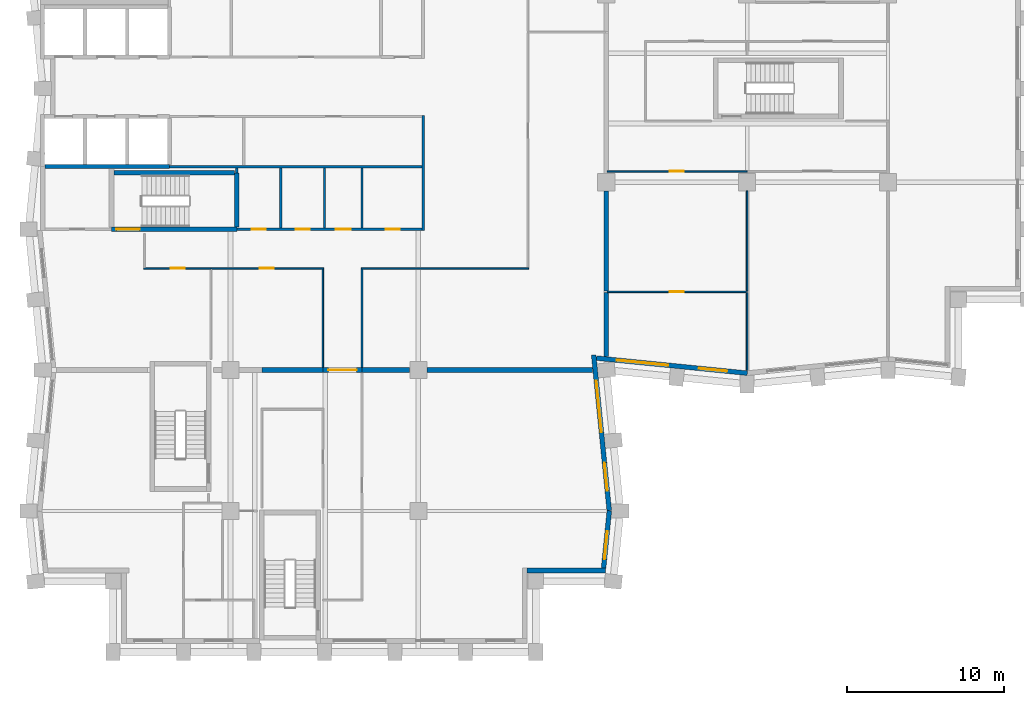
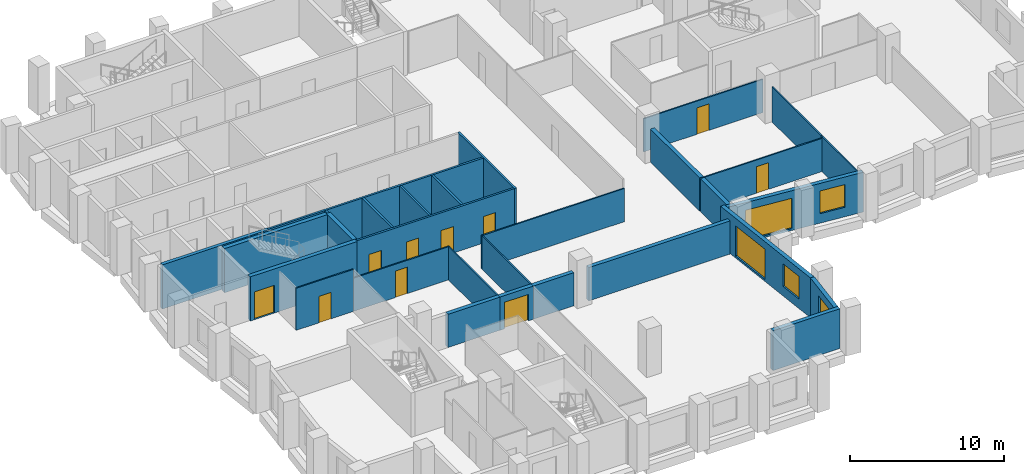
# One storey, part 4 of 10: 30 walls, 10 doors, 5 windows, 15 openings.
"""IFC4 building model written with IfcOpenShell, lengths in metres."""

from ifc_helpers import new_model, si_unit, direction, frame, frame_2d, origin, place, context, subcontext, project, spatial, rectangle, extrude, material, layer, layer_set, type_object, element, fill, save


model = new_model("IFC4")

# Units and contexts
model_context = context("Model", 3, precision=1e-05, world=origin(), true_north=direction((0.0, 1.0)))
body_context = subcontext(model_context, "Body", "Model", "MODEL_VIEW")
ifc_project = project(units=[si_unit("LENGTHUNIT", "METRE"), si_unit("AREAUNIT", "SQUARE_METRE"), si_unit("VOLUMEUNIT", "CUBIC_METRE"), si_unit("PLANEANGLEUNIT", "RADIAN"), si_unit("MASSUNIT", "GRAM", prefix="KILO")], contexts=[model_context])

# Site, building, storey
site_placement = place(None, origin())
site = spatial("IfcSite", under=ifc_project, at=site_placement, CompositionType="ELEMENT")
building_placement = place(site_placement, origin())
building = spatial("IfcBuilding", under=site, at=building_placement, Name="Brondeck Convention Tower", CompositionType="ELEMENT")
storey_placement = place(building_placement, frame((0.0, 0.0, 185.199951171875)))
storey = spatial("IfcBuildingStorey", under=building, at=storey_placement, Name="L45", CompositionType="ELEMENT", Elevation=185.199951171875)

# Wall
ifc_material_1 = material(Name="Concrete compartment wall C30/37", Category="concrete")
ifc_layer_1 = layer(ifc_material_1, 0.300048828125)
ifc_layer_set_1 = layer_set([ifc_layer_1], Name="Compartment wall 300")
wall_type_1 = type_object("IfcWallType", Name="Compartment wall 300", PredefinedType="PARTITIONING", material=ifc_layer_set_1)
wall_1_placement = place(storey_placement, frame((14.0, 27.0, 0.0), z_axis=(0.0, 0.0, 1.0), x_axis=(1.0, 0.0, 0.0)))
element("IfcWall", 1, at=wall_1_placement, inside=storey, type_object=wall_type_1, Name="FLR-L45-W020", PredefinedType="PARTITIONING", context=body_context, shape_type="SweptSolid", body=[
    extrude(rectangle(XDim=3.89990234375, YDim=0.300048828125, at=frame_2d((1.949951171875, 0.0))), origin(), (0.0, 0.0, 1.0), 2.630126953125),
])

# Wall, opening, door
wall_2_placement = place(storey_placement, frame((20.39990234375, 27.0, 0.0), z_axis=(0.0, 0.0, 1.0), x_axis=(-1.0, 0.0, 0.0)))
wall_2 = element("IfcWall", 2, at=wall_2_placement, inside=storey, type_object=wall_type_1, Name="FLR-L45-W021", PredefinedType="PARTITIONING", context=body_context, shape_type="SweptSolid", body=[
    extrude(rectangle(XDim=2.5, YDim=0.300048828125, at=frame_2d((1.25, 0.0))), origin(), (0.0, 0.0, 1.0), 2.630126953125),
])
opening_1_placement = place(wall_2_placement, frame((0.35009765625, 0.0, 0.0)))
opening_1 = element("IfcOpeningElement", 3, at=opening_1_placement, cuts=wall_2, Name="Opening OF-J-016", PredefinedType="OPENING", context=body_context, shape_type="SweptSolid", body=[
    extrude(rectangle(XDim=1.800048828125, YDim=2.10009765625, at=frame_2d((0.89990234375, 1.050048828125))), frame((0.0, 0.159912109375, 0.0), z_axis=(0.0, -1.0, 0.0), x_axis=(1.0, 0.0, 0.0)), (0.0, 0.0, 1.0), 0.320068359375),
])
ifc_material_2 = material(Name="Steel fire door pair", Category="steel")
door_type_1 = type_object("IfcDoorType", Name="Fire door pair 1800", OperationType="DOUBLE_DOOR_SINGLE_SWING", PredefinedType="DOOR", material=ifc_material_2)
door_1_placement = place(opening_1_placement, origin())
door_1 = element("IfcDoor", 4, at=door_1_placement, inside=storey, type_object=door_type_1, Name="Door OF-J-016", OperationType="DOUBLE_DOOR_SINGLE_SWING", OverallHeight=2.10009765625, OverallWidth=1.800048828125, PredefinedType="DOOR", context=body_context, shape_type="SweptSolid", body=[
    extrude(rectangle(XDim=1.800048828125, YDim=2.10009765625, at=frame_2d((0.89990234375, 1.050048828125))), frame((0.0, 0.02490234375, 0.0), z_axis=(0.0, -1.0, 0.0), x_axis=(1.0, 0.0, 0.0)), (0.0, 0.0, 1.0), 0.050048828125),
])
fill(opening_1, door_1)

# Walls
wall_3_placement = place(storey_placement, frame((20.39990234375, 27.0, 0.0), z_axis=(0.0, 0.0, 1.0), x_axis=(1.0, 0.0, 0.0)))
element("IfcWall", 5, at=wall_3_placement, inside=storey, type_object=wall_type_1, Name="FLR-L45-W022", PredefinedType="PARTITIONING", context=body_context, shape_type="SweptSolid", body=[
    extrude(rectangle(XDim=3.045166015625, YDim=0.300048828125, at=frame_2d((1.5224609375, 0.0))), origin(), (0.0, 0.0, 1.0), 2.630126953125),
])
wall_4_placement = place(storey_placement, frame((24.554931640625, 27.0, 0.0), z_axis=(0.0, 0.0, 1.0), x_axis=(1.0, 0.0, 0.0)))
element("IfcWall", 6, at=wall_4_placement, inside=storey, type_object=wall_type_1, Name="FLR-L45-W023", PredefinedType="PARTITIONING", context=body_context, shape_type="SweptSolid", body=[
    extrude(rectangle(XDim=10.57080078125, YDim=0.300048828125, at=frame_2d((5.285400390625, 0.0))), origin(), (0.0, 0.0, 1.0), 2.630126953125),
])
wall_5_placement = place(storey_placement, frame((36.0, 27.874267578125, 0.0), z_axis=(0.0, 0.0, 1.0), x_axis=(0.0, 1.0, 0.0)))
element("IfcWall", 7, at=wall_5_placement, inside=storey, type_object=wall_type_1, Name="FLR-L45-W026", PredefinedType="PARTITIONING", context=body_context, shape_type="SweptSolid", body=[
    extrude(rectangle(XDim=4.07568359375, YDim=0.300048828125, at=frame_2d((2.037841796875, 0.0))), origin(), (0.0, 0.0, 1.0), 2.630126953125),
])
wall_6_placement = place(storey_placement, frame((36.0, 32.050048828125, 0.0), z_axis=(0.0, 0.0, 1.0), x_axis=(0.0, 1.0, 0.0)))
element("IfcWall", 8, at=wall_6_placement, inside=storey, type_object=wall_type_1, Name="FLR-L45-W029", PredefinedType="PARTITIONING", context=body_context, shape_type="SweptSolid", body=[
    extrude(rectangle(XDim=6.39501953125, YDim=0.300048828125, at=frame_2d((3.197509765625, 0.0))), origin(), (0.0, 0.0, 1.0), 2.630126953125),
])

# Wall, openings, doors
ifc_material_3 = material(Name="Concrete C70/85", Category="concrete")
ifc_layer_2 = layer(ifc_material_3, 0.14990234375)
ifc_layer_set_2 = layer_set([ifc_layer_2], Name="Core beam-seat wall 150 Concrete C70/85")
wall_type_2 = type_object("IfcWallType", Name="Core beam-seat wall 150 Concrete C70/85", PredefinedType="SHEAR", material=ifc_layer_set_2)
wall_7_placement = place(storey_placement, frame((12.39990234375, 36.0, 0.0), z_axis=(0.0, 0.0, 1.0), x_axis=(1.0, 0.0, 0.0)))
wall_7 = element("IfcWall", 9, at=wall_7_placement, inside=storey, type_object=wall_type_2, Name="L45 core wall", PredefinedType="SHEAR", context=body_context, shape_type="SweptSolid", body=[
    extrude(rectangle(XDim=11.8251953125, YDim=0.14990234375, at=frame_2d((5.91259765625, 0.0))), origin(), (0.0, 0.0, 1.0), 3.5),
])
opening_2_placement = place(wall_7_placement, frame((0.949951171875, 0.0, 0.0)))
opening_2 = element("IfcOpeningElement", 10, at=opening_2_placement, cuts=wall_7, Name="Opening C25-03", PredefinedType="OPENING", context=body_context, shape_type="SweptSolid", body=[
    extrude(rectangle(XDim=0.89990234375, YDim=2.10009765625, at=frame_2d((0.449951171875, 1.050048828125))), frame((0.0, 0.0849609375, 0.0), z_axis=(0.0, -1.0, 0.0), x_axis=(1.0, 0.0, 0.0)), (0.0, 0.0, 1.0), 0.169921875),
])
opening_3_placement = place(wall_7_placement, frame((3.75, 0.0, 0.0)))
opening_3 = element("IfcOpeningElement", 11, at=opening_3_placement, cuts=wall_7, Name="Opening C25-04", PredefinedType="OPENING", context=body_context, shape_type="SweptSolid", body=[
    extrude(rectangle(XDim=0.89990234375, YDim=2.10009765625, at=frame_2d((0.449951171875, 1.050048828125))), frame((0.0, 0.0849609375, 0.0), z_axis=(0.0, -1.0, 0.0), x_axis=(1.0, 0.0, 0.0)), (0.0, 0.0, 1.0), 0.169921875),
])
opening_4_placement = place(wall_7_placement, frame((6.324951171875, 0.0, 0.0)))
opening_4 = element("IfcOpeningElement", 12, at=opening_4_placement, cuts=wall_7, Name="Opening C25-05", PredefinedType="OPENING", context=body_context, shape_type="SweptSolid", body=[
    extrude(rectangle(XDim=0.949951171875, YDim=2.10009765625, at=frame_2d((0.47509765625, 1.050048828125))), frame((0.0, 0.0849609375, 0.0), z_axis=(0.0, -1.0, 0.0), x_axis=(1.0, 0.0, 0.0)), (0.0, 0.0, 1.0), 0.169921875),
])
opening_5_placement = place(wall_7_placement, frame((9.5, 0.0, 0.0)))
opening_5 = element("IfcOpeningElement", 13, at=opening_5_placement, cuts=wall_7, Name="Opening C25-06", PredefinedType="OPENING", context=body_context, shape_type="SweptSolid", body=[
    extrude(rectangle(XDim=0.89990234375, YDim=2.10009765625, at=frame_2d((0.449951171875, 1.050048828125))), frame((0.0, 0.0849609375, 0.0), z_axis=(0.0, -1.0, 0.0), x_axis=(1.0, 0.0, 0.0)), (0.0, 0.0, 1.0), 0.169921875),
])
ifc_material_4 = material(Name="Steel fire door", Category="steel")
door_type_2 = type_object("IfcDoorType", Name="Room door 900x2100 EI 60", OperationType="NOTDEFINED", PredefinedType="DOOR", material=ifc_material_4)
door_2_placement = place(opening_2_placement, origin())
door_2 = element("IfcDoor", 14, at=door_2_placement, inside=storey, type_object=door_type_2, Name="L45 Room door FR-1", OperationType="SINGLE_SWING_RIGHT", OverallHeight=2.10009765625, OverallWidth=0.89990234375, PredefinedType="DOOR", context=body_context, shape_type="SweptSolid", body=[
    extrude(rectangle(XDim=0.89990234375, YDim=2.10009765625, at=frame_2d((0.449951171875, 1.050048828125))), frame((0.0, 0.02490234375, 0.0), z_axis=(0.0, -1.0, 0.0), x_axis=(1.0, 0.0, 0.0)), (0.0, 0.0, 1.0), 0.050048828125),
])
fill(opening_2, door_2)
door_3_placement = place(opening_3_placement, origin())
door_3 = element("IfcDoor", 15, at=door_3_placement, inside=storey, type_object=door_type_2, Name="L45 Room door FR-2", OperationType="SINGLE_SWING_LEFT", OverallHeight=2.10009765625, OverallWidth=0.89990234375, PredefinedType="DOOR", context=body_context, shape_type="SweptSolid", body=[
    extrude(rectangle(XDim=0.89990234375, YDim=2.10009765625, at=frame_2d((0.449951171875, 1.050048828125))), frame((0.0, 0.02490234375, 0.0), z_axis=(0.0, -1.0, 0.0), x_axis=(1.0, 0.0, 0.0)), (0.0, 0.0, 1.0), 0.050048828125),
])
fill(opening_3, door_3)
door_4_placement = place(opening_5_placement, origin())
door_4 = element("IfcDoor", 16, at=door_4_placement, inside=storey, type_object=door_type_2, Name="L45 Room door FR-4", OperationType="SINGLE_SWING_LEFT", OverallHeight=2.10009765625, OverallWidth=0.89990234375, PredefinedType="DOOR", context=body_context, shape_type="SweptSolid", body=[
    extrude(rectangle(XDim=0.89990234375, YDim=2.10009765625, at=frame_2d((0.449951171875, 1.050048828125))), frame((0.0, 0.02490234375, 0.0), z_axis=(0.0, -1.0, 0.0), x_axis=(1.0, 0.0, 0.0)), (0.0, 0.0, 1.0), 0.050048828125),
])
fill(opening_5, door_4)
door_type_3 = type_object("IfcDoorType", Name="Room door 950x2100 EI 60", OperationType="NOTDEFINED", PredefinedType="DOOR", material=ifc_material_4)
door_5_placement = place(opening_4_placement, origin())
door_5 = element("IfcDoor", 17, at=door_5_placement, inside=storey, type_object=door_type_3, Name="L45 Room door FR-3", OperationType="SINGLE_SWING_RIGHT", OverallHeight=2.10009765625, OverallWidth=0.949951171875, PredefinedType="DOOR", context=body_context, shape_type="SweptSolid", body=[
    extrude(rectangle(XDim=0.949951171875, YDim=2.10009765625, at=frame_2d((0.47509765625, 1.050048828125))), frame((0.0, 0.02490234375, 0.0), z_axis=(0.0, -1.0, 0.0), x_axis=(1.0, 0.0, 0.0)), (0.0, 0.0, 1.0), 0.050048828125),
])
fill(opening_4, door_5)

# Walls
ifc_material_5 = material(Name="Fire-rated gypsum board partition")
ifc_layer_3 = layer(ifc_material_5, 0.14990234375)
ifc_layer_set_3 = layer_set([ifc_layer_3], Name="Core partition 150 EI 60")
wall_type_3 = type_object("IfcWallType", Name="Core partition 150 EI 60", PredefinedType="PARTITIONING", material=ifc_layer_set_3)
wall_8_placement = place(storey_placement, frame((8.10009765625, 40.0, 0.0), z_axis=(0.0, 0.0, 1.0), x_axis=(1.0, 0.0, 0.0)))
element("IfcWall", 18, at=wall_8_placement, inside=storey, type_object=wall_type_3, Name="L45 core wall", PredefinedType="PARTITIONING", context=body_context, shape_type="SweptSolid", body=[
    extrude(rectangle(XDim=16.125, YDim=0.14990234375, at=frame_2d((8.0625, 0.0))), origin(), (0.0, 0.0, 1.0), 3.5),
])
wall_9_placement = place(storey_placement, frame((12.39990234375, 39.60009765625, 0.0), z_axis=(0.0, 0.0, 1.0), x_axis=(0.0, 1.0, 0.0)))
element("IfcWall", 19, at=wall_9_placement, inside=storey, type_object=wall_type_3, Name="L45 core wall", PredefinedType="PARTITIONING", context=body_context, shape_type="SweptSolid", body=[
    extrude(rectangle(XDim=0.324951171875, YDim=0.14990234375, at=frame_2d((0.16259765625, 0.0))), origin(), (0.0, 0.0, 1.0), 3.5),
])
for number, where, z_axis, x_axis, name in (
    (20, (15.199951171875, 36.074951171875, 0.0), (0.0, 0.0, 1.0), (0.0, 1.0, 0.0), "L45 core wall"),
    (21, (18.0, 36.074951171875, 0.0), (0.0, 0.0, 1.0), (0.0, 1.0, 0.0), "L45 core wall"),
    (22, (20.39990234375, 36.074951171875, 0.0), (0.0, 0.0, 1.0), (0.0, 1.0, 0.0), "L45 core wall"),
):
    element("IfcWall", number, at=place(storey_placement, frame(where, z_axis=z_axis, x_axis=x_axis)), inside=storey, type_object=wall_type_3, Name=name, PredefinedType="PARTITIONING", context=body_context, shape_type="SweptSolid", body=[
        extrude(rectangle(XDim=3.85009765625, YDim=0.14990234375, at=frame_2d((1.925048828125, 0.0))), origin(), (0.0, 0.0, 1.0), 3.5),
    ])
wall_10_placement = place(storey_placement, frame((24.300048828125, 35.925048828125, 0.0), z_axis=(0.0, 0.0, 1.0), x_axis=(0.0, 1.0, 0.0)))
element("IfcWall", 23, at=wall_10_placement, inside=storey, type_object=wall_type_3, Name="L45 core wall", PredefinedType="PARTITIONING", context=body_context, shape_type="SweptSolid", body=[
    extrude(rectangle(XDim=7.349853515625, YDim=0.14990234375, at=frame_2d((3.6748046875, 0.0))), origin(), (0.0, 0.0, 1.0), 3.5),
])
ifc_material_6 = material(Name="Precast concrete C50/60 bronze finish", Category="concrete")
ifc_layer_4 = layer(ifc_material_6, 0.070068359375, Name="Bronze precast facing")
ifc_material_7 = material(Name="Mineral wool")
ifc_layer_5 = layer(ifc_material_7, 0.159912109375, Name="Insulation")
ifc_material_8 = material(Name="Concrete C35/45", Category="concrete")
ifc_layer_6 = layer(ifc_material_8, 0.070068359375, Name="Backing")
ifc_layer_set_4 = layer_set([ifc_layer_4, ifc_layer_5, ifc_layer_6], Name="External infill wall, precast concrete C50/60 bronze facing")
wall_type_4 = type_object("IfcWallType", Name="External infill wall, precast concrete C50/60 bronze facing", PredefinedType="SOLIDWALL", material=ifc_layer_set_4)
wall_11_placement = place(storey_placement, frame((35.952392578125, 14.199951171875, 0.0), z_axis=(0.0, 0.0, 1.0), x_axis=(-1.0, 0.0, 0.0)))
element("IfcWall", 24, at=wall_11_placement, inside=storey, type_object=wall_type_4, Name="ENV-EW-L45-P1-NC-SEB9-02", PredefinedType="SOLIDWALL", context=body_context, shape_type="SweptSolid", body=[
    extrude(rectangle(XDim=5.00244140625, YDim=0.300048828125, at=frame_2d((2.501220703125, 0.0))), origin(), (0.0, 0.0, 1.0), 3.150146484375),
])

# Wall, opening, window
wall_12_placement = place(storey_placement, frame((36.197998046875, 18.014892578125, 0.0), z_axis=(0.0, 0.0, 1.0), x_axis=(-0.099529980022, -0.99503456376, 0.0)))
wall_12 = element("IfcWall", 25, at=wall_12_placement, inside=storey, type_object=wall_type_4, Name="ENV-EW-L45-P1-B-E-02", PredefinedType="SOLIDWALL", context=body_context, shape_type="SweptSolid", body=[
    extrude(rectangle(XDim=3.681884765625, YDim=0.300048828125, at=frame_2d((1.8408203125, 0.0))), origin(), (0.0, 0.0, 1.0), 3.150146484375),
])
opening_6_placement = place(wall_12_placement, frame((1.30615234375, 0.0, 0.75)))
opening_6 = element("IfcOpeningElement", 26, at=opening_6_placement, cuts=wall_12, Name="Opening W10", PredefinedType="OPENING", context=body_context, shape_type="SweptSolid", body=[
    extrude(rectangle(XDim=1.800048828125, YDim=1.800048828125, at=frame_2d((0.89990234375, 0.89990234375))), frame((0.0, 0.159912109375, 0.0), z_axis=(0.0, -1.0, 0.0), x_axis=(1.0, 0.0, 0.0)), (0.0, 0.0, 1.0), 0.320068359375),
])
ifc_material_9 = material(Name="Bronze tinted double glazing", Category="glass")
window_type_1 = type_object("IfcWindowType", Name="Punched window, bronze tinted", PartitioningType="SINGLE_PANEL", PredefinedType="WINDOW", material=ifc_material_9)
window_1_placement = place(opening_6_placement, origin())
window_1 = element("IfcWindow", 27, at=window_1_placement, inside=storey, type_object=window_type_1, Name="ENV-WN-L45-P1-B-E-02", OverallHeight=1.800048828125, OverallWidth=1.800048828125, PartitioningType="SINGLE_PANEL", PredefinedType="WINDOW", context=body_context, shape_type="SweptSolid", body=[
    extrude(rectangle(XDim=1.800048828125, YDim=1.800048828125, at=frame_2d((0.89990234375, 0.89990234375))), frame((0.0, 0.030029296875, 0.0), z_axis=(0.0, -1.0, 0.0), x_axis=(1.0, 0.0, 0.0)), (0.0, 0.0, 1.0), 0.06005859375),
])
fill(opening_6, window_1)

# Wall, openings, windows
wall_13_placement = place(storey_placement, frame((35.2001953125, 27.964111328125, 0.0), z_axis=(0.0, 0.0, 1.0), x_axis=(0.099501297882, -0.995037432321, 0.0)))
wall_13 = element("IfcWall", 28, at=wall_13_placement, inside=storey, type_object=wall_type_4, Name="ENV-EW-L45-P1-B-E-01", PredefinedType="SOLIDWALL", context=body_context, shape_type="SweptSolid", body=[
    extrude(rectangle(XDim=9.98388671875, YDim=0.300048828125, at=frame_2d((4.991943359375, 0.0))), origin(), (0.0, 0.0, 1.0), 3.150146484375),
])
opening_7_placement = place(wall_13_placement, frame((1.650146484375, 0.0, 0.14990234375)))
opening_7 = element("IfcOpeningElement", 29, at=opening_7_placement, cuts=wall_13, Name="Opening W9", PredefinedType="OPENING", context=body_context, shape_type="SweptSolid", body=[
    extrude(rectangle(XDim=3.300048828125, YDim=2.39990234375, at=frame_2d((1.64990234375, 1.199951171875))), frame((0.0, 0.159912109375, 0.0), z_axis=(0.0, -1.0, 0.0), x_axis=(1.0, 0.0, 0.0)), (0.0, 0.0, 1.0), 0.320068359375),
])
opening_8_placement = place(wall_13_placement, frame((6.922607421875, 0.0, 0.75)))
opening_8 = element("IfcOpeningElement", 30, at=opening_8_placement, cuts=wall_13, Name="Opening W10", PredefinedType="OPENING", context=body_context, shape_type="SweptSolid", body=[
    extrude(rectangle(XDim=1.800048828125, YDim=1.800048828125, at=frame_2d((0.89990234375, 0.89990234375))), frame((0.0, 0.159912109375, 0.0), z_axis=(0.0, -1.0, 0.0), x_axis=(1.0, 0.0, 0.0)), (0.0, 0.0, 1.0), 0.320068359375),
])
window_type_2 = type_object("IfcWindowType", Name="Glazed flute window, bronze tinted", PartitioningType="SINGLE_PANEL", PredefinedType="WINDOW", material=ifc_material_9)
window_2_placement = place(opening_7_placement, origin())
window_2 = element("IfcWindow", 31, at=window_2_placement, inside=storey, type_object=window_type_2, Name="ENV-WN-L45-P1-B-E-00", OverallHeight=2.39990234375, OverallWidth=3.300048828125, PartitioningType="SINGLE_PANEL", PredefinedType="WINDOW", context=body_context, shape_type="SweptSolid", body=[
    extrude(rectangle(XDim=3.300048828125, YDim=2.39990234375, at=frame_2d((1.64990234375, 1.199951171875))), frame((0.0, 0.030029296875, 0.0), z_axis=(0.0, -1.0, 0.0), x_axis=(1.0, 0.0, 0.0)), (0.0, 0.0, 1.0), 0.06005859375),
])
fill(opening_7, window_2)
window_3_placement = place(opening_8_placement, origin())
window_3 = element("IfcWindow", 32, at=window_3_placement, inside=storey, type_object=window_type_1, Name="ENV-WN-L45-P1-B-E-01", OverallHeight=1.800048828125, OverallWidth=1.800048828125, PartitioningType="SINGLE_PANEL", PredefinedType="WINDOW", context=body_context, shape_type="SweptSolid", body=[
    extrude(rectangle(XDim=1.800048828125, YDim=1.800048828125, at=frame_2d((0.89990234375, 0.89990234375))), frame((0.0, 0.030029296875, 0.0), z_axis=(0.0, -1.0, 0.0), x_axis=(1.0, 0.0, 0.0)), (0.0, 0.0, 1.0), 0.06005859375),
])
fill(opening_8, window_3)

wall_14_placement = place(storey_placement, frame((45.014892578125, 26.802001953125, 0.0), z_axis=(0.0, 0.0, 1.0), x_axis=(-0.995037689759, 0.099498723402, 0.0)))
wall_14 = element("IfcWall", 33, at=wall_14_placement, inside=storey, type_object=wall_type_4, Name="ENV-EW-L45-P1-A-S-00", PredefinedType="SOLIDWALL", context=body_context, shape_type="SweptSolid", body=[
    extrude(rectangle(XDim=9.677490234375, YDim=0.300048828125, at=frame_2d((4.8388671875, 0.0))), origin(), (0.0, 0.0, 1.0), 3.150146484375),
])
opening_9_placement = place(wall_14_placement, frame((1.30615234375, 0.0, 0.75)))
opening_9 = element("IfcOpeningElement", 34, at=opening_9_placement, cuts=wall_14, Name="Opening W10", PredefinedType="OPENING", context=body_context, shape_type="SweptSolid", body=[
    extrude(rectangle(XDim=1.800048828125, YDim=1.800048828125, at=frame_2d((0.89990234375, 0.89990234375))), frame((0.0, 0.159912109375, 0.0), z_axis=(0.0, -1.0, 0.0), x_axis=(1.0, 0.0, 0.0)), (0.0, 0.0, 1.0), 0.320068359375),
])
opening_10_placement = place(wall_14_placement, frame((5.07861328125, 0.0, 0.14990234375)))
opening_10 = element("IfcOpeningElement", 35, at=opening_10_placement, cuts=wall_14, Name="Opening W9", PredefinedType="OPENING", context=body_context, shape_type="SweptSolid", body=[
    extrude(rectangle(XDim=3.300048828125, YDim=2.39990234375, at=frame_2d((1.64990234375, 1.199951171875))), frame((0.0, 0.159912109375, 0.0), z_axis=(0.0, -1.0, 0.0), x_axis=(1.0, 0.0, 0.0)), (0.0, 0.0, 1.0), 0.320068359375),
])
window_4_placement = place(opening_10_placement, origin())
window_4 = element("IfcWindow", 36, at=window_4_placement, inside=storey, type_object=window_type_2, Name="ENV-WN-L45-P1-A-S-00", OverallHeight=2.39990234375, OverallWidth=3.300048828125, PartitioningType="SINGLE_PANEL", PredefinedType="WINDOW", context=body_context, shape_type="SweptSolid", body=[
    extrude(rectangle(XDim=3.300048828125, YDim=2.39990234375, at=frame_2d((1.64990234375, 1.199951171875))), frame((0.0, 0.030029296875, 0.0), z_axis=(0.0, -1.0, 0.0), x_axis=(1.0, 0.0, 0.0)), (0.0, 0.0, 1.0), 0.06005859375),
])
fill(opening_10, window_4)
window_5_placement = place(opening_9_placement, origin())
window_5 = element("IfcWindow", 37, at=window_5_placement, inside=storey, type_object=window_type_1, Name="ENV-WN-L45-P1-A-S-01", OverallHeight=1.800048828125, OverallWidth=1.800048828125, PartitioningType="SINGLE_PANEL", PredefinedType="WINDOW", context=body_context, shape_type="SweptSolid", body=[
    extrude(rectangle(XDim=1.800048828125, YDim=1.800048828125, at=frame_2d((0.89990234375, 0.89990234375))), frame((0.0, 0.030029296875, 0.0), z_axis=(0.0, -1.0, 0.0), x_axis=(1.0, 0.0, 0.0)), (0.0, 0.0, 1.0), 0.06005859375),
])
fill(opening_9, window_5)

# Walls
ifc_layer_7 = layer(ifc_material_3, 0.25)
ifc_layer_set_5 = layer_set([ifc_layer_7], Name="Lift shaft wall 250 Concrete C70/85")
wall_type_5 = type_object("IfcWallType", Name="Lift shaft wall 250 Concrete C70/85", PredefinedType="SHEAR", material=ifc_layer_set_5)
wall_15_placement = place(storey_placement, frame((0.14990234375, 40.0, 0.0), z_axis=(0.0, 0.0, 1.0), x_axis=(1.0, 0.0, 0.0)))
element("IfcWall", 38, at=wall_15_placement, inside=storey, type_object=wall_type_5, Name="L45 core wall", PredefinedType="SHEAR", context=body_context, shape_type="SweptSolid", body=[
    extrude(rectangle(XDim=7.9501953125, YDim=0.25, at=frame_2d((3.97509765625, 0.0))), origin(), (0.0, 0.0, 1.0), 3.5),
])
ifc_material_10 = material(Name="Gypsum board partition on steel studs", Category="steel")
ifc_layer_8 = layer(ifc_material_10, 0.10009765625)
ifc_layer_set_6 = layer_set([ifc_layer_8], Name="Room partition 100")
wall_type_6 = type_object("IfcWallType", Name="Room partition 100", PredefinedType="PARTITIONING", material=ifc_layer_set_6)
wall_16_placement = place(storey_placement, frame((17.89990234375, 27.169921875, 0.0), z_axis=(0.0, 0.0, 1.0), x_axis=(0.0, 1.0, 0.0)))
element("IfcWall", 39, at=wall_16_placement, inside=storey, type_object=wall_type_6, Name="FLR-L45-W024", PredefinedType="PARTITIONING", context=body_context, shape_type="SweptSolid", body=[
    extrude(rectangle(XDim=6.280029296875, YDim=0.10009765625, at=frame_2d((3.14013671875, 0.0))), origin(), (0.0, 0.0, 1.0), 2.630126953125),
])
wall_17_placement = place(storey_placement, frame((45.0, 31.949951171875, 0.0), z_axis=(0.0, 0.0, 1.0), x_axis=(0.0, -1.0, 0.0)))
element("IfcWall", 40, at=wall_17_placement, inside=storey, type_object=wall_type_6, Name="FLR-L45-W027", PredefinedType="PARTITIONING", context=body_context, shape_type="SweptSolid", body=[
    extrude(rectangle(XDim=4.975830078125, YDim=0.10009765625, at=frame_2d((2.48779296875, 0.0))), origin(), (0.0, 0.0, 1.0), 2.780029296875),
])

# Wall, opening, door
wall_18_placement = place(storey_placement, frame((44.949951171875, 32.0, 0.0), z_axis=(0.0, 0.0, 1.0), x_axis=(-1.0, 0.0, 0.0)))
wall_18 = element("IfcWall", 41, at=wall_18_placement, inside=storey, type_object=wall_type_6, Name="FLR-L45-W028", PredefinedType="PARTITIONING", context=body_context, shape_type="SweptSolid", body=[
    extrude(rectangle(XDim=8.89990234375, YDim=0.10009765625, at=frame_2d((4.449951171875, 0.0))), origin(), (0.0, 0.0, 1.0), 2.630126953125),
])
opening_11_placement = place(wall_18_placement, frame((4.0, 0.0, 0.0)))
opening_11 = element("IfcOpeningElement", 42, at=opening_11_placement, cuts=wall_18, Name="Opening OF-J-007", PredefinedType="OPENING", context=body_context, shape_type="SweptSolid", body=[
    extrude(rectangle(XDim=0.89990234375, YDim=2.10009765625, at=frame_2d((0.449951171875, 1.050048828125))), frame((0.0, 0.06005859375, 0.0), z_axis=(0.0, -1.0, 0.0), x_axis=(1.0, 0.0, 0.0)), (0.0, 0.0, 1.0), 0.1201171875),
])
ifc_material_11 = material(Name="Solid timber door leaf", Category="wood")
door_type_4 = type_object("IfcDoorType", Name="Single door 900", OperationType="NOTDEFINED", PredefinedType="DOOR", material=ifc_material_11)
door_6_placement = place(opening_11_placement, origin())
door_6 = element("IfcDoor", 43, at=door_6_placement, inside=storey, type_object=door_type_4, Name="Door OF-J-007", OperationType="SINGLE_SWING_LEFT", OverallHeight=2.10009765625, OverallWidth=0.89990234375, PredefinedType="DOOR", context=body_context, shape_type="SweptSolid", body=[
    extrude(rectangle(XDim=0.89990234375, YDim=2.10009765625, at=frame_2d((0.449951171875, 1.050048828125))), frame((0.0, 0.02490234375, 0.0), z_axis=(0.0, -1.0, 0.0), x_axis=(1.0, 0.0, 0.0)), (0.0, 0.0, 1.0), 0.050048828125),
])
fill(opening_11, door_6)

# Wall
wall_19_placement = place(storey_placement, frame((20.39990234375, 33.449951171875, 0.0), z_axis=(0.0, 0.0, 1.0), x_axis=(0.0, -1.0, 0.0)))
element("IfcWall", 44, at=wall_19_placement, inside=storey, type_object=wall_type_6, Name="FLR-L45-W031", PredefinedType="PARTITIONING", context=body_context, shape_type="SweptSolid", body=[
    extrude(rectangle(XDim=6.280029296875, YDim=0.10009765625, at=frame_2d((3.14013671875, 0.0))), origin(), (0.0, 0.0, 1.0), 2.630126953125),
])

# Wall, opening, door
wall_20_placement = place(storey_placement, frame((10.748046875, 33.5, 0.0), z_axis=(0.0, 0.0, 1.0), x_axis=(-1.0, 0.0, 0.0)))
wall_20 = element("IfcWall", 45, at=wall_20_placement, inside=storey, type_object=wall_type_6, Name="FLR-L45-W032", PredefinedType="PARTITIONING", context=body_context, shape_type="SweptSolid", body=[
    extrude(rectangle(XDim=4.298095703125, YDim=0.10009765625, at=frame_2d((2.14892578125, 0.0))), origin(), (0.0, 0.0, 1.0), 3.330078125),
])
opening_12_placement = place(wall_20_placement, frame((1.674072265625, 0.0, 0.0)))
opening_12 = element("IfcOpeningElement", 46, at=opening_12_placement, cuts=wall_20, Name="Opening OF-J-012", PredefinedType="OPENING", context=body_context, shape_type="SweptSolid", body=[
    extrude(rectangle(XDim=0.89990234375, YDim=2.10009765625, at=frame_2d((0.449951171875, 1.050048828125))), frame((0.0, 0.06005859375, 0.0), z_axis=(0.0, -1.0, 0.0), x_axis=(1.0, 0.0, 0.0)), (0.0, 0.0, 1.0), 0.1201171875),
])
door_7_placement = place(opening_12_placement, origin())
door_7 = element("IfcDoor", 47, at=door_7_placement, inside=storey, type_object=door_type_4, Name="Door OF-J-012", OperationType="SINGLE_SWING_RIGHT", OverallHeight=2.10009765625, OverallWidth=0.89990234375, PredefinedType="DOOR", context=body_context, shape_type="SweptSolid", body=[
    extrude(rectangle(XDim=0.89990234375, YDim=2.10009765625, at=frame_2d((0.449951171875, 1.050048828125))), frame((0.0, 0.02490234375, 0.0), z_axis=(0.0, -1.0, 0.0), x_axis=(1.0, 0.0, 0.0)), (0.0, 0.0, 1.0), 0.050048828125),
])
fill(opening_12, door_7)

wall_21_placement = place(storey_placement, frame((17.949951171875, 33.5, 0.0), z_axis=(0.0, 0.0, 1.0), x_axis=(-1.0, 0.0, 0.0)))
wall_21 = element("IfcWall", 48, at=wall_21_placement, inside=storey, type_object=wall_type_6, Name="FLR-L45-W033", PredefinedType="PARTITIONING", context=body_context, shape_type="SweptSolid", body=[
    extrude(rectangle(XDim=7.201904296875, YDim=0.10009765625, at=frame_2d((3.60107421875, 0.0))), origin(), (0.0, 0.0, 1.0), 2.630126953125),
])
opening_13_placement = place(wall_21_placement, frame((3.176025390625, 0.0, 0.0)))
opening_13 = element("IfcOpeningElement", 49, at=opening_13_placement, cuts=wall_21, Name="Opening OF-J-013", PredefinedType="OPENING", context=body_context, shape_type="SweptSolid", body=[
    extrude(rectangle(XDim=0.89990234375, YDim=2.10009765625, at=frame_2d((0.449951171875, 1.050048828125))), frame((0.0, 0.06005859375, 0.0), z_axis=(0.0, -1.0, 0.0), x_axis=(1.0, 0.0, 0.0)), (0.0, 0.0, 1.0), 0.1201171875),
])
door_8_placement = place(opening_13_placement, origin())
door_8 = element("IfcDoor", 50, at=door_8_placement, inside=storey, type_object=door_type_4, Name="Door OF-J-013", OperationType="SINGLE_SWING_RIGHT", OverallHeight=2.10009765625, OverallWidth=0.89990234375, PredefinedType="DOOR", context=body_context, shape_type="SweptSolid", body=[
    extrude(rectangle(XDim=0.89990234375, YDim=2.10009765625, at=frame_2d((0.449951171875, 1.050048828125))), frame((0.0, 0.02490234375, 0.0), z_axis=(0.0, -1.0, 0.0), x_axis=(1.0, 0.0, 0.0)), (0.0, 0.0, 1.0), 0.050048828125),
])
fill(opening_13, door_8)

# Walls
wall_22_placement = place(storey_placement, frame((31.050048828125, 33.5, 0.0), z_axis=(0.0, 0.0, 1.0), x_axis=(-1.0, 0.0, 0.0)))
element("IfcWall", 51, at=wall_22_placement, inside=storey, type_object=wall_type_6, Name="FLR-L45-W034", PredefinedType="PARTITIONING", context=body_context, shape_type="SweptSolid", body=[
    extrude(rectangle(XDim=10.699951171875, YDim=0.10009765625, at=frame_2d((5.35009765625, 0.0))), origin(), (0.0, 0.0, 1.0), 2.630126953125),
])
wall_23_placement = place(storey_placement, frame((45.0, 38.445068359375, 0.0), z_axis=(0.0, 0.0, 1.0), x_axis=(0.0, -1.0, 0.0)))
element("IfcWall", 52, at=wall_23_placement, inside=storey, type_object=wall_type_6, Name="FLR-L45-W036", PredefinedType="PARTITIONING", context=body_context, shape_type="SweptSolid", body=[
    extrude(rectangle(XDim=6.39501953125, YDim=0.10009765625, at=frame_2d((3.197509765625, 0.0))), origin(), (0.0, 0.0, 1.0), 2.780029296875),
])

# Wall, opening, door
wall_24_placement = place(storey_placement, frame((45.0, 39.699951171875, 0.0), z_axis=(0.0, 0.0, 1.0), x_axis=(-1.0, 0.0, 0.0)))
wall_24 = element("IfcWall", 53, at=wall_24_placement, inside=storey, type_object=wall_type_6, Name="FLR-L45-W037", PredefinedType="PARTITIONING", context=body_context, shape_type="SweptSolid", body=[
    extrude(rectangle(XDim=8.949951171875, YDim=0.10009765625, at=frame_2d((4.47509765625, 0.0))), origin(), (0.0, 0.0, 1.0), 2.630126953125),
])
opening_14_placement = place(wall_24_placement, frame((4.050048828125, 0.0, 0.0)))
opening_14 = element("IfcOpeningElement", 54, at=opening_14_placement, cuts=wall_24, Name="Opening OF-J-006", PredefinedType="OPENING", context=body_context, shape_type="SweptSolid", body=[
    extrude(rectangle(XDim=0.89990234375, YDim=2.10009765625, at=frame_2d((0.449951171875, 1.050048828125))), frame((0.0, 0.06005859375, 0.0), z_axis=(0.0, -1.0, 0.0), x_axis=(1.0, 0.0, 0.0)), (0.0, 0.0, 1.0), 0.1201171875),
])
door_9_placement = place(opening_14_placement, origin())
door_9 = element("IfcDoor", 55, at=door_9_placement, inside=storey, type_object=door_type_4, Name="Door OF-J-006", OperationType="SINGLE_SWING_LEFT", OverallHeight=2.10009765625, OverallWidth=0.89990234375, PredefinedType="DOOR", context=body_context, shape_type="SweptSolid", body=[
    extrude(rectangle(XDim=0.89990234375, YDim=2.10009765625, at=frame_2d((0.449951171875, 1.050048828125))), frame((0.0, 0.02490234375, 0.0), z_axis=(0.0, -1.0, 0.0), x_axis=(1.0, 0.0, 0.0)), (0.0, 0.0, 1.0), 0.050048828125),
])
fill(opening_14, door_9)

ifc_layer_9 = layer(ifc_material_3, 0.300048828125)
ifc_layer_set_7 = layer_set([ifc_layer_9], Name="Stair enclosure wall 300 Concrete C70/85")
wall_type_7 = type_object("IfcWallType", Name="Stair enclosure wall 300 Concrete C70/85", PredefinedType="SHEAR", material=ifc_layer_set_7)
wall_25_placement = place(storey_placement, frame((4.39990234375, 36.0, 0.0), z_axis=(0.0, 0.0, 1.0), x_axis=(1.0, 0.0, 0.0)))
wall_25 = element("IfcWall", 56, at=wall_25_placement, inside=storey, type_object=wall_type_7, Name="L45 core wall", PredefinedType="SHEAR", context=body_context, shape_type="SweptSolid", body=[
    extrude(rectangle(XDim=8.0, YDim=0.300048828125, at=frame_2d((4.0, 0.0))), origin(), (0.0, 0.0, 1.0), 3.5),
])
opening_15_placement = place(wall_25_placement, frame((0.300048828125, 0.0, 0.0)))
opening_15 = element("IfcOpeningElement", 57, at=opening_15_placement, cuts=wall_25, Name="Opening C25-14", PredefinedType="OPENING", context=body_context, shape_type="SweptSolid", body=[
    extrude(rectangle(XDim=1.5, YDim=2.199951171875, at=frame_2d((0.75, 1.10009765625))), frame((0.0, 0.159912109375, 0.0), z_axis=(0.0, -1.0, 0.0), x_axis=(1.0, 0.0, 0.0)), (0.0, 0.0, 1.0), 0.320068359375),
])
door_type_5 = type_object("IfcDoorType", Name="Stair door 1500x2200 EI 90", OperationType="NOTDEFINED", PredefinedType="DOOR", material=ifc_material_4)
door_10_placement = place(opening_15_placement, origin())
door_10 = element("IfcDoor", 58, at=door_10_placement, inside=storey, type_object=door_type_5, Name="L45 Stair door ST-1", OperationType="SINGLE_SWING_RIGHT", OverallHeight=2.199951171875, OverallWidth=1.5, PredefinedType="DOOR", context=body_context, shape_type="SweptSolid", body=[
    extrude(rectangle(XDim=1.5, YDim=2.199951171875, at=frame_2d((0.75, 1.10009765625))), frame((0.0, 0.02490234375, 0.0), z_axis=(0.0, -1.0, 0.0), x_axis=(1.0, 0.0, 0.0)), (0.0, 0.0, 1.0), 0.050048828125),
])
fill(opening_15, door_10)

# Walls
wall_26_placement = place(storey_placement, frame((4.550048828125, 39.60009765625, 0.0), z_axis=(0.0, 0.0, 1.0), x_axis=(1.0, 0.0, 0.0)))
element("IfcWall", 59, at=wall_26_placement, inside=storey, type_object=wall_type_7, Name="L45 core wall", PredefinedType="SHEAR", context=body_context, shape_type="SweptSolid", body=[
    extrude(rectangle(XDim=7.699951171875, YDim=0.300048828125, at=frame_2d((3.85009765625, 0.0))), origin(), (0.0, 0.0, 1.0), 3.5),
])
wall_27_placement = place(storey_placement, frame((12.39990234375, 36.14990234375, 0.0), z_axis=(0.0, 0.0, 1.0), x_axis=(0.0, 1.0, 0.0)))
element("IfcWall", 60, at=wall_27_placement, inside=storey, type_object=wall_type_7, Name="L45 core wall", PredefinedType="SHEAR", context=body_context, shape_type="SweptSolid", body=[
    extrude(rectangle(XDim=3.4501953125, YDim=0.300048828125, at=frame_2d((1.72509765625, 0.0))), origin(), (0.0, 0.0, 1.0), 3.5),
])

save(model, "model.ifc")
